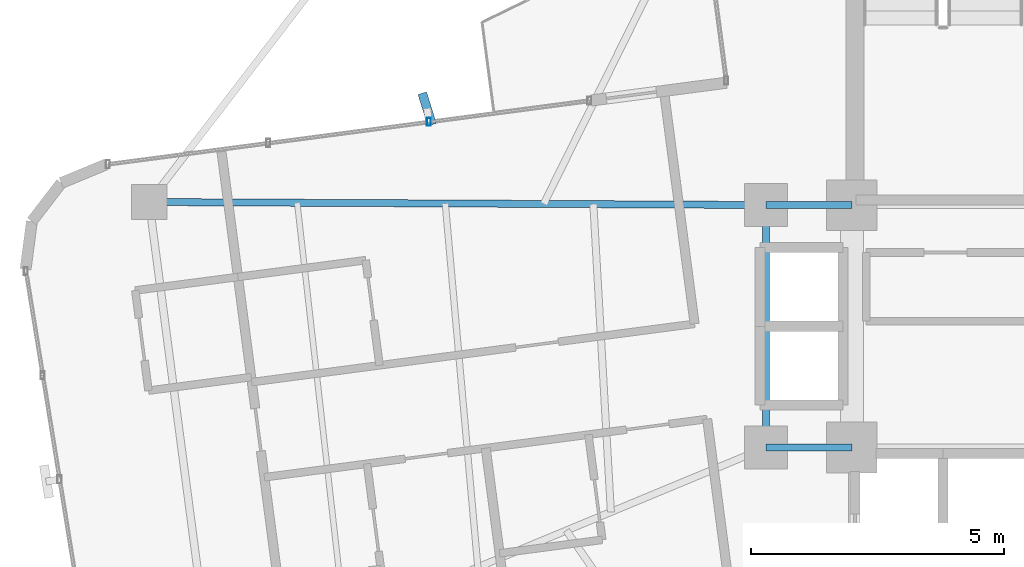
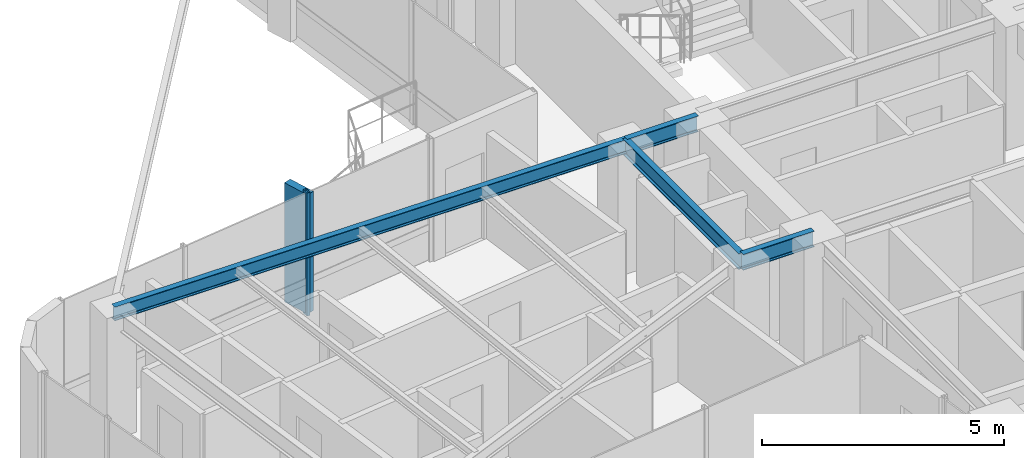
# One storey, part 8 of 22: 4 beams, 2 members, 1 element without a shape of its own.
"""IFC4 building model written with IfcOpenShell, lengths in metres."""

from ifc_helpers import new_model, si_unit, direction, frame, origin, origin_2d, place, context, subcontext, project, spatial, rectangle, hollow_rectangle, i_section, extrude, source, transform, mapped, material, material_profile, profile_set, type_object, element, aggregate, save


model = new_model("IFC4")

# Units and contexts
model_context = context("Model", 3, precision=1e-05, world=origin(), true_north=direction((0.0, 1.0)))
body_context = subcontext(model_context, "Body", "Model", "MODEL_VIEW")
ifc_project = project(units=[si_unit("LENGTHUNIT", "METRE"), si_unit("AREAUNIT", "SQUARE_METRE"), si_unit("VOLUMEUNIT", "CUBIC_METRE"), si_unit("PLANEANGLEUNIT", "RADIAN"), si_unit("MASSUNIT", "GRAM", prefix="KILO")], contexts=[model_context])

# Site, building, storey
site_placement = place(None, origin())
site = spatial("IfcSite", under=ifc_project, at=site_placement, CompositionType="ELEMENT")
building_placement = place(site_placement, origin())
building = spatial("IfcBuilding", under=site, at=building_placement, Name="Sahyath Konkavel Grand Hotel", CompositionType="ELEMENT")
storey_placement = place(building_placement, frame((0.0, 0.0, 257.89990234375)))
storey = spatial("IfcBuildingStorey", under=building, at=storey_placement, Name="L72", CompositionType="ELEMENT", Elevation=257.89990234375)

# Beams
ifc_material_1 = material(Name="Steel E350", Category="steel")
ifc_material_profile_1 = material_profile(ifc_material_1, i_section(OverallWidth=0.139892578125, OverallDepth=0.39990234375, WebThickness=0.0087890625, FlangeThickness=0.01611328125, FilletRadius=0.013916015625, at=origin_2d()), Name="ISMB 400")
ifc_profile_set_1 = profile_set([ifc_material_profile_1], Name="Steel E350")
beam_type_1 = type_object("IfcBeamType", Name="BM-ISMB400", PredefinedType="BEAM", material=ifc_profile_set_1)
shared_shape_1 = source(origin(), body_context, "Body", "SweptSolid", [
    extrude(i_section(OverallWidth=0.139892578125, OverallDepth=0.39990234375, WebThickness=0.0087890625, FlangeThickness=0.01611328125, FilletRadius=0.013916015625, at=origin_2d()), origin(), (0.0, 0.0, 1.0), 1.699951171875),
])
for number, where, z_axis, x_axis, name in (
    (1, (-5.5, 2.39990234375, 2.91015625), (1.0, 0.0, 0.0), (0.0, 1.0, 0.0), "str:bm:L72:HB-NW"),
    (2, (-5.5, -2.39990234375, 2.91015625), (1.0, 0.0, 0.0), (0.0, 1.0, 0.0), "str:bm:L72:HB-SW"),
):
    element("IfcBeam", number, at=place(storey_placement, frame(where, z_axis=z_axis, x_axis=x_axis)), inside=storey, type_object=beam_type_1, Name=name, PredefinedType="BEAM", context=body_context, shape_type="MappedRepresentation", body=[
        mapped(shared_shape_1, transform((0.0, 0.0, 0.0), scale=1.0)),
    ])
shared_shape_2 = source(origin(), body_context, "Body", "SweptSolid", [
    extrude(i_section(OverallWidth=0.139892578125, OverallDepth=0.39990234375, WebThickness=0.0087890625, FlangeThickness=0.01611328125, FilletRadius=0.013916015625, at=origin_2d()), origin(), (0.0, 0.0, 1.0), 4.7998046875),
])
beam_1_placement = place(storey_placement, frame((-5.5, -2.39990234375, 2.91015625), z_axis=(0.0, 1.0, 0.0), x_axis=(-1.0, 0.0, 0.0)))
element("IfcBeam", 3, at=beam_1_placement, inside=storey, type_object=beam_type_1, Name="str:bm:L72:HB-W", PredefinedType="BEAM", context=body_context, shape_type="MappedRepresentation", body=[
    mapped(shared_shape_2, transform((0.0, 0.0, 0.0), scale=1.0)),
])
ifc_material_profile_2 = material_profile(ifc_material_1, i_section(OverallWidth=0.139892578125, OverallDepth=0.35009765625, WebThickness=0.008056640625, FlangeThickness=0.01416015625, FilletRadius=0.013916015625, at=origin_2d()), Name="ISMB 350")
ifc_profile_set_2 = profile_set([ifc_material_profile_2], Name="Steel E350")
beam_type_2 = type_object("IfcBeamType", Name="BM-ISMB350", PredefinedType="BEAM", material=ifc_profile_set_2)
shared_shape_3 = source(origin(), body_context, "Body", "SweptSolid", [
    extrude(i_section(OverallWidth=0.139892578125, OverallDepth=0.35009765625, WebThickness=0.008056640625, FlangeThickness=0.01416015625, FilletRadius=0.013916015625, at=origin_2d()), origin(), (0.0, 0.0, 1.0), 12.212646484375),
])
beam_2_placement = place(storey_placement, frame((-5.5, 2.39990234375, 2.93505859375), z_axis=(-0.999988297706, 0.004837814722, 0.0), x_axis=(-0.004837814722, -0.999988297706, 0.0)))
element("IfcBeam", 4, at=beam_2_placement, inside=storey, type_object=beam_type_2, Name="L72 Cruciform Radial Girder WA", PredefinedType="BEAM", context=body_context, shape_type="MappedRepresentation", body=[
    mapped(shared_shape_3, transform((0.0, 0.0, 0.0), scale=1.0)),
])

# Curtain wall, members
ifc_material_2 = material(Name="Anodised Bronze Aluminium & Low-E Glazing", Category="aluminium")
curtain_wall_type = type_object("IfcCurtainWallType", Name="CW-ZONE4", PredefinedType="NOTDEFINED", material=ifc_material_2)
curtain_wall_placement = place(storey_placement, origin())
curtain_wall = element("IfcCurtainWall", 5, at=curtain_wall_placement, inside=storey, type_object=curtain_wall_type, Name="L72 Unitised Curtain Wall F16", PredefinedType="NOTDEFINED")
ifc_material_3 = material(Name="Warm Buff Sandstone Cladding on Concrete C50/60", Category="masonry")
ifc_material_profile_3 = material_profile(ifc_material_3, rectangle(XDim=0.179931640625, YDim=0.64990234375, at=origin_2d()), Name="FIN 180x650")
ifc_profile_set_3 = profile_set([ifc_material_profile_3], Name="Warm Buff Sandstone Cladding on Concrete C50/60")
member_type_1 = type_object("IfcMemberType", Name="FIN-SANDSTONE-650", PredefinedType="MULLION", material=ifc_profile_set_3)
shared_shape_4 = source(origin(), body_context, "Body", "SweptSolid", [
    extrude(rectangle(XDim=0.179931640625, YDim=0.64990234375, at=origin_2d()), origin(), (0.0, 0.0, 1.0), 3.010009765625),
])
member_1_placement = place(storey_placement, frame((-12.20947265625, 4.30322265625, 0.050048828125), z_axis=(0.0, 0.0, 1.0), x_axis=(0.954448865814, 0.298374534012, 0.0)))
member_1 = element("IfcMember", 6, at=member_1_placement, type_object=member_type_1, Name="L72 Sandstone Vertical Solar Fin FIN F16-1", PredefinedType="MULLION", context=body_context, shape_type="MappedRepresentation", body=[
    mapped(shared_shape_4, transform((0.0, 0.0, 0.0), scale=1.0)),
])
ifc_material_4 = material(Name="Anodised Bronze Aluminium", Category="aluminium")
ifc_material_profile_4 = material_profile(ifc_material_4, hollow_rectangle(XDim=0.080078125, YDim=0.159912109375, WallThickness=0.006103515625, at=origin_2d()), Name="RHS 160x80x6")
ifc_profile_set_4 = profile_set([ifc_material_profile_4], Name="Anodised Bronze Aluminium")
member_type_2 = type_object("IfcMemberType", Name="CW-MUL-160", PredefinedType="MULLION", material=ifc_profile_set_4)
shared_shape_5 = source(origin(), body_context, "Body", "SweptSolid", [
    extrude(hollow_rectangle(XDim=0.080078125, YDim=0.159912109375, WallThickness=0.006103515625, at=origin_2d()), origin(), (0.0, 0.0, 1.0), 3.110107421875),
])
member_2_placement = place(storey_placement, frame((-12.175537109375, 4.04541015625, 0.0), z_axis=(0.0, 0.0, 1.0), x_axis=(1.0, 0.0, 0.0)))
member_2 = element("IfcMember", 7, at=member_2_placement, type_object=member_type_2, Name="L72 Curtain Wall Mullion F16-1", PredefinedType="MULLION", context=body_context, shape_type="MappedRepresentation", body=[
    mapped(shared_shape_5, transform((0.0, 0.0, 0.0), scale=1.0)),
])
aggregate(curtain_wall, [member_2, member_1])

save(model, "model.ifc")
